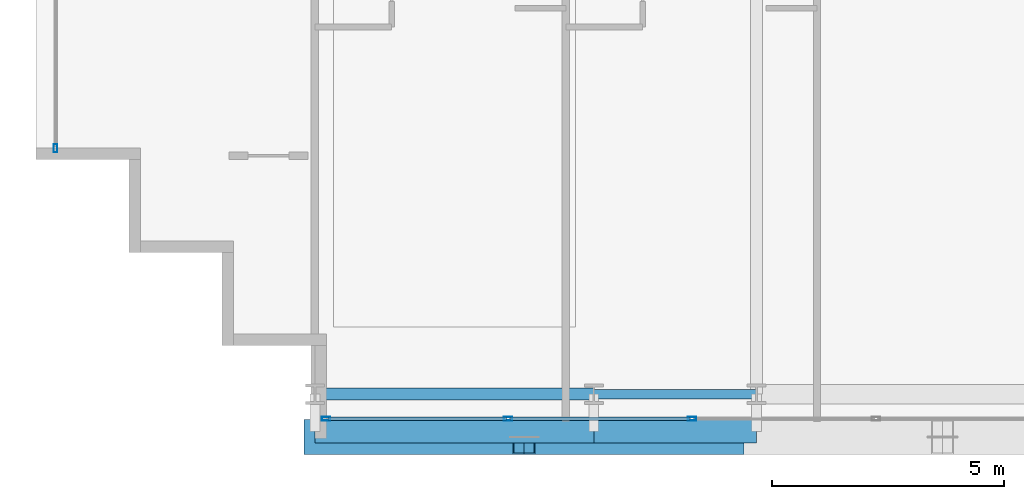
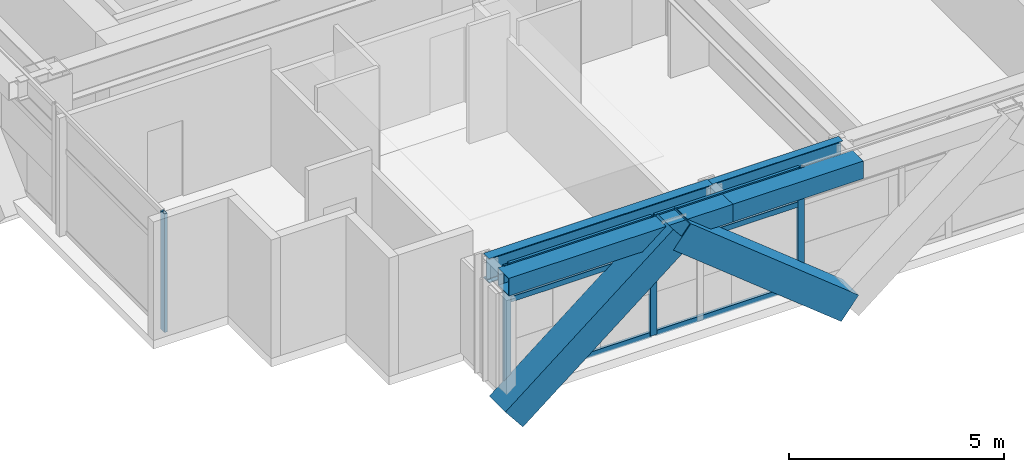
# One storey, part 2 of 35: 12 members, 4 beams, 2 elements without a shape of their own.
"""IFC4 building model written with IfcOpenShell, lengths in metres."""

from ifc_helpers import new_model, si_unit, direction, frame, origin, origin_2d, place, context, subcontext, project, spatial, hollow_rectangle, i_section, extrude, source, transform, mapped, material, layer, layer_set, material_profile, profile_set, type_object, element, aggregate, save


model = new_model("IFC4")

# Units and contexts
model_context = context("Model", 3, precision=1e-05, world=origin(), true_north=direction((0.0, 1.0)))
body_context = subcontext(model_context, "Body", "Model", "MODEL_VIEW")
ifc_project = project(units=[si_unit("LENGTHUNIT", "METRE"), si_unit("AREAUNIT", "SQUARE_METRE"), si_unit("VOLUMEUNIT", "CUBIC_METRE"), si_unit("PLANEANGLEUNIT", "RADIAN"), si_unit("MASSUNIT", "GRAM", prefix="KILO")], contexts=[model_context])

# Site, building, storey
site_placement = place(None, origin())
site = spatial("IfcSite", under=ifc_project, at=site_placement, CompositionType="ELEMENT")
building_placement = place(site_placement, origin())
building = spatial("IfcBuilding", under=site, at=building_placement, Name="Ocotamira Hotel", CompositionType="ELEMENT")
storey_placement = place(building_placement, frame((0.0, 0.0, 118.800048828125)))
storey = spatial("IfcBuildingStorey", under=building, at=storey_placement, Name="L29", CompositionType="ELEMENT", Elevation=118.800048828125)

# Beams
ifc_material_1 = material(Name="Steel ASTM A992 Grade 50", Category="steel")
ifc_material_profile_1 = material_profile(ifc_material_1, i_section(OverallWidth=0.256103515625, OverallDepth=0.693115234375, WebThickness=0.014404296875, FlangeThickness=0.023681640625, FilletRadius=0.01611328125, at=origin_2d()), Name="W27X114")
ifc_profile_set_1 = profile_set([ifc_material_profile_1], Name="Steel ASTM A992 Grade 50")
beam_type_1 = type_object("IfcBeamType", Name="BM-PRIM-W27X114", PredefinedType="BEAM", material=ifc_profile_set_1)
shared_shape_1 = source(origin(), body_context, "Body", "SweptSolid", [
    extrude(i_section(OverallWidth=0.256103515625, OverallDepth=0.693115234375, WebThickness=0.014404296875, FlangeThickness=0.023681640625, FilletRadius=0.01611328125, at=origin_2d()), origin(), (0.0, 0.0, 1.0), 6.0),
])
beam_1_placement = place(storey_placement, frame((14.0, 2.949951171875, 3.013427734375), z_axis=(1.0, 0.0, 0.0), x_axis=(0.0, 1.0, 0.0)))
element("IfcBeam", 1, at=beam_1_placement, inside=storey, type_object=beam_type_1, Name="L29 Girder Y2.95 X14-20", PredefinedType="BEAM", context=body_context, shape_type="MappedRepresentation", body=[
    mapped(shared_shape_1, transform((0.0, 0.0, 0.0), scale=1.0)),
])
ifc_material_profile_2 = material_profile(ifc_material_1, i_section(OverallWidth=0.2099609375, OverallDepth=0.537109375, WebThickness=0.010986328125, FlangeThickness=0.017333984375, FilletRadius=0.012939453125, at=origin_2d()), Name="W21X68")
ifc_profile_set_2 = profile_set([ifc_material_profile_2], Name="Steel ASTM A992 Grade 50")
beam_type_2 = type_object("IfcBeamType", Name="BM-SEC-W21X68", PredefinedType="JOIST", material=ifc_profile_set_2)
shared_shape_2 = source(origin(), body_context, "Body", "SweptSolid", [
    extrude(i_section(OverallWidth=0.2099609375, OverallDepth=0.537109375, WebThickness=0.010986328125, FlangeThickness=0.017333984375, FilletRadius=0.012939453125, at=origin_2d()), origin(), (0.0, 0.0, 1.0), 3.5),
])
beam_2_placement = place(storey_placement, frame((20.0, 2.949951171875, 3.091552734375), z_axis=(1.0, 0.0, 0.0), x_axis=(0.0, 1.0, 0.0)))
element("IfcBeam", 2, at=beam_2_placement, inside=storey, type_object=beam_type_2, Name="L29 Girder Y2.95 X20-23.5", PredefinedType="JOIST", context=body_context, shape_type="MappedRepresentation", body=[
    mapped(shared_shape_2, transform((0.0, 0.0, 0.0), scale=1.0)),
])
ifc_material_2 = material(Name="Steel ASTM A500 Grade C", Category="steel")
ifc_material_profile_3 = material_profile(ifc_material_2, hollow_rectangle(XDim=0.5, YDim=0.5, WallThickness=0.02001953125, at=origin_2d()), Name="HSS500X500X20")
ifc_profile_set_3 = profile_set([ifc_material_profile_3], Name="Steel ASTM A500 Grade C")
beam_type_3 = type_object("IfcBeamType", Name="BM-SPAN-HSS500", PredefinedType="USERDEFINED", material=ifc_profile_set_3)
shared_shape_3 = source(origin(), body_context, "Body", "SweptSolid", [
    extrude(hollow_rectangle(XDim=0.5, YDim=0.5, WallThickness=0.02001953125, at=origin_2d()), origin(), (0.0, 0.0, 1.0), 6.0),
])
beam_3_placement = place(storey_placement, frame((14.0, 2.14990234375, 3.10986328125), z_axis=(1.0, 0.0, 0.0), x_axis=(0.0, 1.0, 0.0)))
element("IfcBeam", 3, at=beam_3_placement, inside=storey, type_object=beam_type_3, Name="L29 Edge Spandrel S X14-20", ObjectType="SPANDREL", PredefinedType="USERDEFINED", context=body_context, shape_type="MappedRepresentation", body=[
    mapped(shared_shape_3, transform((0.0, 0.0, 0.0), scale=1.0)),
])
shared_shape_4 = source(origin(), body_context, "Body", "SweptSolid", [
    extrude(hollow_rectangle(XDim=0.5, YDim=0.5, WallThickness=0.02001953125, at=origin_2d()), origin(), (0.0, 0.0, 1.0), 3.5),
])
beam_4_placement = place(storey_placement, frame((20.0, 2.14990234375, 3.10986328125), z_axis=(1.0, 0.0, 0.0), x_axis=(0.0, 1.0, 0.0)))
element("IfcBeam", 4, at=beam_4_placement, inside=storey, type_object=beam_type_3, Name="L29 Edge Spandrel S X20-23.5", ObjectType="SPANDREL", PredefinedType="USERDEFINED", context=body_context, shape_type="MappedRepresentation", body=[
    mapped(shared_shape_4, transform((0.0, 0.0, 0.0), scale=1.0)),
])

# Members
ifc_material_3 = material(Name="Pale-metal coated steel ASTM A913 Grade 65", Category="steel")
ifc_material_profile_4 = material_profile(ifc_material_3, hollow_rectangle(XDim=0.75, YDim=0.75, WallThickness=0.028076171875, at=origin_2d()), Name="BOX750X750X28")
ifc_profile_set_4 = profile_set([ifc_material_profile_4], Name="Pale-metal coated steel ASTM A913 Grade 65")
member_type_1 = type_object("IfcMemberType", Name="MEM-EXO-BOX750", PredefinedType="BRACE", material=ifc_profile_set_4)
shared_shape_5 = source(origin(), body_context, "Body", "SweptSolid", [
    extrude(hollow_rectangle(XDim=0.75, YDim=0.75, WallThickness=0.028076171875, at=origin_2d()), origin(), (0.0, 0.0, 1.0), 5.7626953125),
])
for number, where, z_axis, x_axis, name in (
    (5, (14.0, 2.030029296875, -0.489990234375), (0.780881208953, 0.0, 0.624679547852), (0.0, 1.0, 0.0), "L29 Exoskeleton Diagrid S0.1"),
    (6, (23.0, 2.030029296875, -0.489990234375), (-0.780881208953, 0.0, 0.624679547852), (0.0, -1.0, 0.0), "L29 Exoskeleton Diagrid S0.2"),
):
    element("IfcMember", number, at=place(storey_placement, frame(where, z_axis=z_axis, x_axis=x_axis)), inside=storey, type_object=member_type_1, Name=name, PredefinedType="BRACE", context=body_context, shape_type="MappedRepresentation", body=[
        mapped(shared_shape_5, transform((0.0, 0.0, 0.0), scale=1.0)),
    ])

# Curtain wall, members
ifc_material_4 = material(Name="Anodised pale-metal aluminium and solar glass", Category="aluminium")
ifc_layer = layer(ifc_material_4, 0.179931640625)
ifc_layer_set = layer_set([ifc_layer], Name="Anodised pale-metal aluminium and solar glass")
curtain_wall_type = type_object("IfcCurtainWallType", Name="CW-SYS3-Z2", PredefinedType="NOTDEFINED", material=ifc_layer_set)
curtain_wall_1_placement = place(storey_placement, origin())
curtain_wall_1 = element("IfcCurtainWall", 7, at=curtain_wall_1_placement, inside=storey, type_object=curtain_wall_type, Name="L29 Curtain Wall CW-3 CW-L29-S1", PredefinedType="NOTDEFINED")
ifc_material_5 = material(Name="Anodised pale-metal aluminium 6063-T6", Category="aluminium")
ifc_material_profile_5 = material_profile(ifc_material_5, hollow_rectangle(XDim=0.074951171875, YDim=0.14990234375, WallThickness=0.006103515625, at=origin_2d()), Name="HSS150X75X6")
ifc_profile_set_5 = profile_set([ifc_material_profile_5], Name="Anodised pale-metal aluminium 6063-T6")
member_type_2 = type_object("IfcMemberType", Name="CWT-150X75", PredefinedType="USERDEFINED", material=ifc_profile_set_5)
shared_shape_6 = source(origin(), body_context, "Body", "SweptSolid", [
    extrude(hollow_rectangle(XDim=0.074951171875, YDim=0.14990234375, WallThickness=0.006103515625, at=origin_2d()), origin(), (0.0, 0.0, 1.0), 3.83544921875),
])
member_1_placement = place(storey_placement, frame((14.280029296875, 2.419921875, 0.037353515625), z_axis=(1.0, 0.0, 0.0), x_axis=(0.0, 1.0, 0.0)))
member_1 = element("IfcMember", 8, at=member_1_placement, type_object=member_type_2, Name="CW-3 transom 1.1", ObjectType="TRANSOM", PredefinedType="USERDEFINED", context=body_context, shape_type="MappedRepresentation", body=[
    mapped(shared_shape_6, transform((0.0, 0.0, 0.0), scale=1.0)),
])
member_2_placement = place(storey_placement, frame((14.280029296875, 2.419921875, 2.349853515625), z_axis=(1.0, 0.0, 0.0), x_axis=(0.0, 1.0, 0.0)))
member_2 = element("IfcMember", 9, at=member_2_placement, type_object=member_type_2, Name="CW-3 transom 1.2", ObjectType="TRANSOM", PredefinedType="USERDEFINED", context=body_context, shape_type="MappedRepresentation", body=[
    mapped(shared_shape_6, transform((0.0, 0.0, 0.0), scale=1.0)),
])
member_3_placement = place(storey_placement, frame((14.280029296875, 2.419921875, 3.322509765625), z_axis=(1.0, 0.0, 0.0), x_axis=(0.0, 1.0, 0.0)))
member_3 = element("IfcMember", 10, at=member_3_placement, type_object=member_type_2, Name="CW-3 transom 1.3", ObjectType="TRANSOM", PredefinedType="USERDEFINED", context=body_context, shape_type="MappedRepresentation", body=[
    mapped(shared_shape_6, transform((0.0, 0.0, 0.0), scale=1.0)),
])
shared_shape_7 = source(origin(), body_context, "Body", "SweptSolid", [
    extrude(hollow_rectangle(XDim=0.074951171875, YDim=0.14990234375, WallThickness=0.006103515625, at=origin_2d()), origin(), (0.0, 0.0, 1.0), 3.87548828125),
])
member_4_placement = place(storey_placement, frame((18.195556640625, 2.419921875, 0.037353515625), z_axis=(1.0, 0.0, 0.0), x_axis=(0.0, 1.0, 0.0)))
member_4 = element("IfcMember", 11, at=member_4_placement, type_object=member_type_2, Name="CW-3 transom 2.1", ObjectType="TRANSOM", PredefinedType="USERDEFINED", context=body_context, shape_type="MappedRepresentation", body=[
    mapped(shared_shape_7, transform((0.0, 0.0, 0.0), scale=1.0)),
])
member_5_placement = place(storey_placement, frame((18.195556640625, 2.419921875, 2.349853515625), z_axis=(1.0, 0.0, 0.0), x_axis=(0.0, 1.0, 0.0)))
member_5 = element("IfcMember", 12, at=member_5_placement, type_object=member_type_2, Name="CW-3 transom 2.2", ObjectType="TRANSOM", PredefinedType="USERDEFINED", context=body_context, shape_type="MappedRepresentation", body=[
    mapped(shared_shape_7, transform((0.0, 0.0, 0.0), scale=1.0)),
])
member_6_placement = place(storey_placement, frame((18.195556640625, 2.419921875, 3.322509765625), z_axis=(1.0, 0.0, 0.0), x_axis=(0.0, 1.0, 0.0)))
member_6 = element("IfcMember", 13, at=member_6_placement, type_object=member_type_2, Name="CW-3 transom 2.3", ObjectType="TRANSOM", PredefinedType="USERDEFINED", context=body_context, shape_type="MappedRepresentation", body=[
    mapped(shared_shape_7, transform((0.0, 0.0, 0.0), scale=1.0)),
])
ifc_material_profile_6 = material_profile(ifc_material_5, hollow_rectangle(XDim=0.080078125, YDim=0.179931640625, WallThickness=0.006103515625, at=origin_2d()), Name="HSS180X80X6")
ifc_profile_set_6 = profile_set([ifc_material_profile_6], Name="Anodised pale-metal aluminium 6063-T6")
member_type_3 = type_object("IfcMemberType", Name="CWM-180X75", PredefinedType="MULLION", material=ifc_profile_set_6)
shared_shape_8 = source(origin(), body_context, "Body", "SweptSolid", [
    extrude(hollow_rectangle(XDim=0.080078125, YDim=0.179931640625, WallThickness=0.006103515625, at=origin_2d()), origin(), (0.0, 0.0, 1.0), 3.35986328125),
])
member_7_placement = place(storey_placement, frame((14.239990234375, 2.419921875, 0.0), z_axis=(0.0, 0.0, 1.0), x_axis=(0.0, 1.0, 0.0)))
member_7 = element("IfcMember", 14, at=member_7_placement, type_object=member_type_3, Name="CW-3 mullion 1", PredefinedType="MULLION", context=body_context, shape_type="MappedRepresentation", body=[
    mapped(shared_shape_8, transform((0.0, 0.0, 0.0), scale=1.0)),
])
member_8_placement = place(storey_placement, frame((18.155517578125, 2.419921875, 0.0), z_axis=(0.0, 0.0, 1.0), x_axis=(0.0, 1.0, 0.0)))
member_8 = element("IfcMember", 15, at=member_8_placement, type_object=member_type_3, Name="CW-3 mullion 2", PredefinedType="MULLION", context=body_context, shape_type="MappedRepresentation", body=[
    mapped(shared_shape_8, transform((0.0, 0.0, 0.0), scale=1.0)),
])
member_9_placement = place(storey_placement, frame((22.111083984375, 2.419921875, 0.0), z_axis=(0.0, 0.0, 1.0), x_axis=(0.0, 1.0, 0.0)))
member_9 = element("IfcMember", 16, at=member_9_placement, type_object=member_type_3, Name="CW-3 mullion 3", PredefinedType="MULLION", context=body_context, shape_type="MappedRepresentation", body=[
    mapped(shared_shape_8, transform((0.0, 0.0, 0.0), scale=1.0)),
])
aggregate(curtain_wall_1, [member_7, member_8, member_9, member_1, member_2, member_3, member_4, member_5, member_6])

# Curtain wall, member
curtain_wall_2_placement = place(storey_placement, origin())
curtain_wall_2 = element("IfcCurtainWall", 17, at=curtain_wall_2_placement, inside=storey, type_object=curtain_wall_type, Name="L29 Curtain Wall CW-3 CW-L29-W", PredefinedType="NOTDEFINED")
member_10_placement = place(storey_placement, frame((8.419921875, 8.239990234375, 0.0), z_axis=(0.0, 0.0, 1.0), x_axis=(-1.0, 0.0, 0.0)))
member_10 = element("IfcMember", 18, at=member_10_placement, type_object=member_type_3, Name="CW-3 mullion 1", PredefinedType="MULLION", context=body_context, shape_type="MappedRepresentation", body=[
    mapped(shared_shape_8, transform((0.0, 0.0, 0.0), scale=1.0)),
])
aggregate(curtain_wall_2, [member_10])

save(model, "model.ifc")
